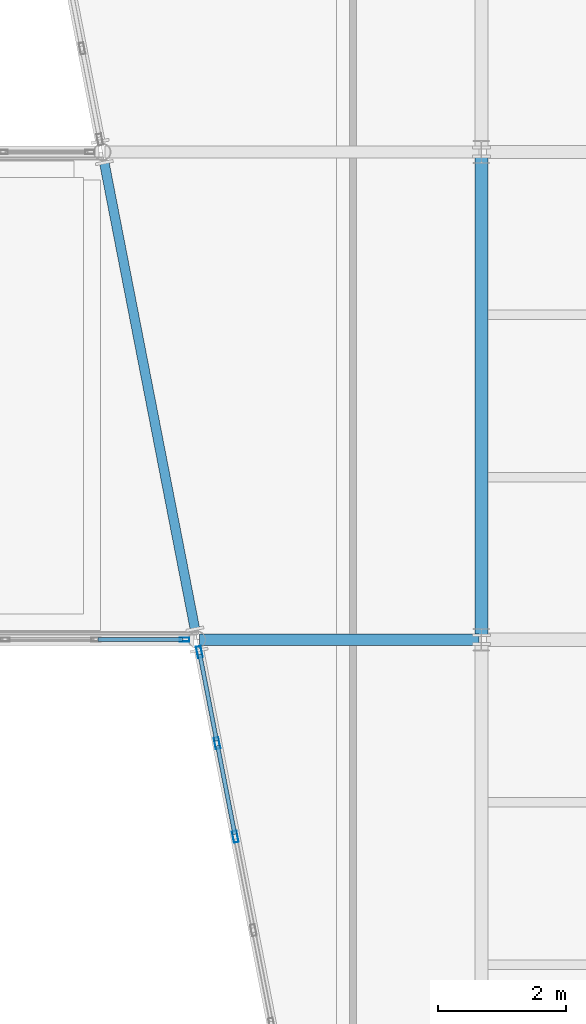
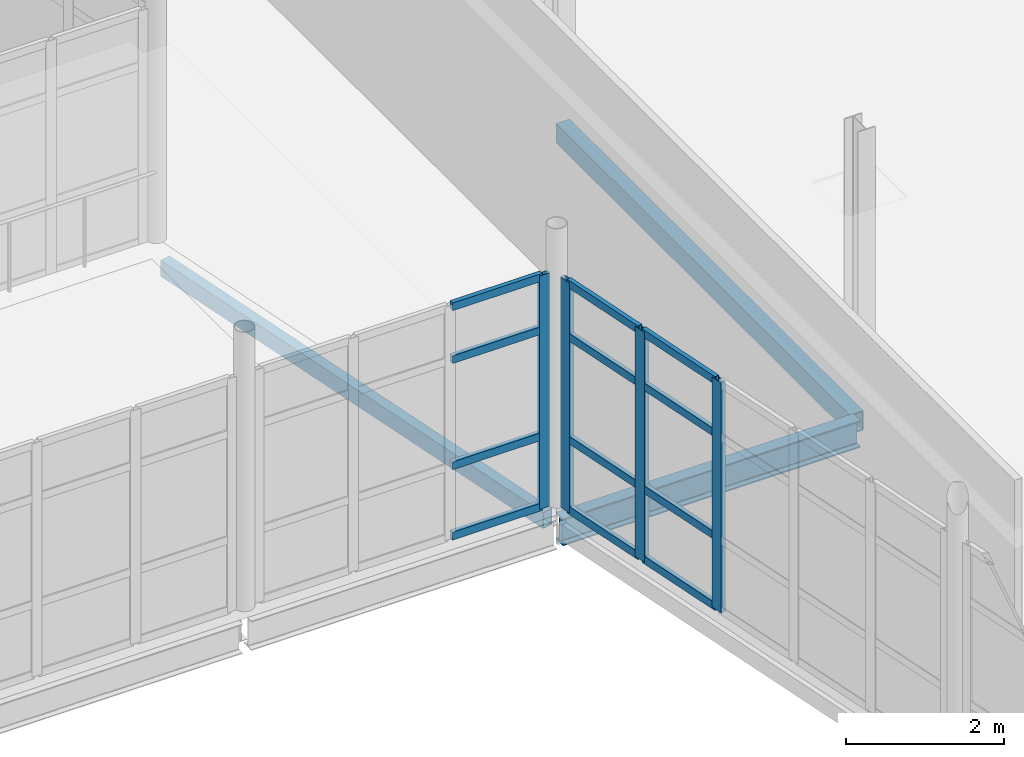
# One storey, part 97 of 174: 16 members, 3 beams, 2 elements without a shape of their own.
"""IFC4 building model written with IfcOpenShell, lengths in metres."""

from ifc_helpers import new_model, si_unit, direction, frame, origin, origin_2d, place, context, subcontext, project, spatial, hollow_rectangle, i_section, extrude, material, material_profile, profile_set, type_object, element, aggregate, save


model = new_model("IFC4")

# Units and contexts
model_context = context("Model", 3, precision=1e-05, world=origin(), true_north=direction((0.0, 1.0)))
body_context = subcontext(model_context, "Body", "Model", "MODEL_VIEW")
ifc_project = project(units=[si_unit("LENGTHUNIT", "METRE"), si_unit("AREAUNIT", "SQUARE_METRE"), si_unit("VOLUMEUNIT", "CUBIC_METRE"), si_unit("PLANEANGLEUNIT", "RADIAN"), si_unit("MASSUNIT", "GRAM", prefix="KILO")], contexts=[model_context])

# Site, building, storey
site_placement = place(None, origin())
site = spatial("IfcSite", under=ifc_project, at=site_placement, CompositionType="ELEMENT")
building_placement = place(site_placement, origin())
building = spatial("IfcBuilding", under=site, at=building_placement, Name="Caisbarro Railhouse Central Library", CompositionType="ELEMENT")
storey_placement = place(building_placement, frame((0.0, 0.0, 5.0400390625)))
storey = spatial("IfcBuildingStorey", under=building, at=storey_placement, Name="L01", CompositionType="ELEMENT", Elevation=5.0400390625)

# Beams
ifc_material_1 = material(Name="Steel ASTM A572 Grade 50", Category="steel")
ifc_material_profile_1 = material_profile(ifc_material_1, i_section(OverallWidth=0.180908203125, OverallDepth=0.4169921875, WebThickness=0.010986328125, FlangeThickness=0.018310546875, FilletRadius=0.01611328125, at=origin_2d()), Name="W410X85.0")
ifc_profile_set_1 = profile_set([ifc_material_profile_1], Name="Steel ASTM A572 Grade 50")
beam_type_1 = type_object("IfcBeamType", Name="BM-G09", PredefinedType="BEAM", material=ifc_profile_set_1)
beam_1_placement = place(storey_placement, frame((112.60791015625, 83.60009765625, -0.428466796875), z_axis=(1.0, 0.0, 0.0), x_axis=(0.0, 1.0, 0.0)))
element("IfcBeam", 1, at=beam_1_placement, inside=storey, type_object=beam_type_1, Name="G09 beam L01 #1273", PredefinedType="BEAM", context=body_context, shape_type="SweptSolid", body=[
    extrude(i_section(OverallWidth=0.180908203125, OverallDepth=0.4169921875, WebThickness=0.010986328125, FlangeThickness=0.018310546875, FilletRadius=0.01611328125, at=origin_2d()), origin(), (0.0, 0.0, 1.0), 4.35205078125),
])
ifc_material_profile_2 = material_profile(ifc_material_1, hollow_rectangle(XDim=0.199951171875, YDim=0.300048828125, WallThickness=0.012451171875, at=origin_2d()), Name="HSS300X200X12.5")
ifc_profile_set_2 = profile_set([ifc_material_profile_2], Name="Steel ASTM A572 Grade 50")
beam_type_2 = type_object("IfcBeamType", Name="BM-SP02", PredefinedType="SPANDREL", material=ifc_profile_set_2)
beam_2_placement = place(storey_placement, frame((117.0, 83.679931640625, -0.3701171875), z_axis=(0.0, 1.0, 0.0), x_axis=(-1.0, 0.0, 0.0)))
element("IfcBeam", 2, at=beam_2_placement, inside=storey, type_object=beam_type_2, Name="SP02 beam L01 #934", PredefinedType="SPANDREL", context=body_context, shape_type="SweptSolid", body=[
    extrude(hollow_rectangle(XDim=0.199951171875, YDim=0.300048828125, WallThickness=0.012451171875, at=origin_2d()), origin(), (0.0, 0.0, 1.0), 7.440185546875),
])
ifc_material_profile_3 = material_profile(ifc_material_1, hollow_rectangle(XDim=0.14990234375, YDim=0.25, WallThickness=0.010009765625, at=origin_2d()), Name="HSS250X150X10")
ifc_profile_set_3 = profile_set([ifc_material_profile_3], Name="Steel ASTM A572 Grade 50")
beam_type_3 = type_object("IfcBeamType", Name="BM-SP03", PredefinedType="SPANDREL", material=ifc_profile_set_3)
beam_3_placement = place(storey_placement, frame((112.53369140625, 83.776611328125, -0.344970703125), z_axis=(-0.1907899916, 0.981630877217, 0.0), x_axis=(-0.981630877217, -0.1907899916, 0.0)))
element("IfcBeam", 3, at=beam_3_placement, inside=storey, type_object=beam_type_3, Name="SP03 beam L01 #1268", PredefinedType="SPANDREL", context=body_context, shape_type="SweptSolid", body=[
    extrude(hollow_rectangle(XDim=0.14990234375, YDim=0.25, WallThickness=0.010009765625, at=origin_2d()), origin(), (0.0, 0.0, 1.0), 7.382080078125),
])

# Curtain wall, members
ifc_material_2 = material(Name="Anodised architectural aluminium", Category="aluminium")
curtain_wall_type_1 = type_object("IfcCurtainWallType", Name="CW-CW02", PredefinedType="NOTDEFINED", material=ifc_material_2)
curtain_wall_1_placement = place(storey_placement, origin())
curtain_wall_1 = element("IfcCurtainWall", 4, at=curtain_wall_1_placement, inside=storey, type_object=curtain_wall_type_1, Name="CW02 curtain wall L01 #112", PredefinedType="NOTDEFINED")
ifc_material_profile_4 = material_profile(ifc_material_2, hollow_rectangle(XDim=0.074951171875, YDim=0.179931640625, WallThickness=0.00439453125, at=origin_2d()), Name="ALU-MUL-75X180")
ifc_profile_set_4 = profile_set([ifc_material_profile_4], Name="Anodised architectural aluminium")
member_type_1 = type_object("IfcMemberType", Name="CWM-M01", PredefinedType="MULLION", material=ifc_profile_set_4)
member_1_placement = place(storey_placement, frame((113.164794921875, 80.528564453125, 0.0), z_axis=(0.0, 0.0, 1.0), x_axis=(-0.981632635401, -0.190780945369, 0.0)))
member_1 = element("IfcMember", 5, at=member_1_placement, type_object=member_type_1, Name="CW02 mullion 4", PredefinedType="MULLION", context=body_context, shape_type="SweptSolid", body=[
    extrude(hollow_rectangle(XDim=0.074951171875, YDim=0.179931640625, WallThickness=0.00439453125, at=origin_2d()), origin(), (0.0, 0.0, 1.0), 3.56005859375),
])
member_2_placement = place(storey_placement, frame((112.881591796875, 81.98583984375, 0.0), z_axis=(0.0, 0.0, 1.0), x_axis=(-0.981632635401, -0.190780945369, 0.0)))
member_2 = element("IfcMember", 6, at=member_2_placement, type_object=member_type_1, Name="CW02 mullion 5", PredefinedType="MULLION", context=body_context, shape_type="SweptSolid", body=[
    extrude(hollow_rectangle(XDim=0.074951171875, YDim=0.179931640625, WallThickness=0.00439453125, at=origin_2d()), origin(), (0.0, 0.0, 1.0), 3.56005859375),
])
member_3_placement = place(storey_placement, frame((112.605712890625, 83.406005859375, 0.0), z_axis=(0.0, 0.0, 1.0), x_axis=(-0.981632635401, -0.190780945369, 0.0)))
member_3 = element("IfcMember", 7, at=member_3_placement, type_object=member_type_1, Name="CW02 mullion 6", PredefinedType="MULLION", context=body_context, shape_type="SweptSolid", body=[
    extrude(hollow_rectangle(XDim=0.074951171875, YDim=0.179931640625, WallThickness=0.00439453125, at=origin_2d()), origin(), (0.0, 0.0, 1.0), 3.56005859375),
])

# Curtain wall, member
curtain_wall_type_2 = type_object("IfcCurtainWallType", Name="CW-CW03", PredefinedType="NOTDEFINED", material=ifc_material_2)
curtain_wall_2_placement = place(storey_placement, origin())
curtain_wall_2 = element("IfcCurtainWall", 8, at=curtain_wall_2_placement, inside=storey, type_object=curtain_wall_type_2, Name="CW03 curtain wall L01 #199", PredefinedType="NOTDEFINED")
ifc_material_profile_5 = material_profile(ifc_material_2, hollow_rectangle(XDim=0.06494140625, YDim=0.14990234375, WallThickness=0.00390625, at=origin_2d()), Name="ALU-MUL-65X150")
ifc_profile_set_5 = profile_set([ifc_material_profile_5], Name="Anodised architectural aluminium")
member_type_2 = type_object("IfcMemberType", Name="CWM-M02", PredefinedType="MULLION", material=ifc_profile_set_5)
member_4_placement = place(storey_placement, frame((112.37548828125, 83.60009765625, 0.0), z_axis=(0.0, 0.0, 1.0), x_axis=(0.0, 1.0, 0.0)))
member_4 = element("IfcMember", 9, at=member_4_placement, type_object=member_type_2, Name="CW03 mullion 4", PredefinedType="MULLION", context=body_context, shape_type="SweptSolid", body=[
    extrude(hollow_rectangle(XDim=0.06494140625, YDim=0.14990234375, WallThickness=0.00390625, at=origin_2d()), origin(), (0.0, 0.0, 1.0), 3.60986328125),
])

# Member
ifc_material_profile_6 = material_profile(ifc_material_2, hollow_rectangle(XDim=0.06494140625, YDim=0.1201171875, WallThickness=0.00341796875, at=origin_2d()), Name="ALU-TRN-65X120")
ifc_profile_set_6 = profile_set([ifc_material_profile_6], Name="Anodised architectural aluminium")
member_type_3 = type_object("IfcMemberType", Name="CWT-T02", PredefinedType="USERDEFINED", material=ifc_profile_set_6)
member_5_placement = place(storey_placement, frame((113.15771484375, 80.5654296875, 0.032470703125), z_axis=(-0.190716655365, 0.981645128021, 0.0), x_axis=(-0.981645128021, -0.190716655365, 0.0)))
member_5 = element("IfcMember", 10, at=member_5_placement, type_object=member_type_3, Name="CW02 transom 4.1", ObjectType="TRANSOM", PredefinedType="USERDEFINED", context=body_context, shape_type="SweptSolid", body=[
    extrude(hollow_rectangle(XDim=0.06494140625, YDim=0.1201171875, WallThickness=0.00341796875, at=origin_2d()), origin(), (0.0, 0.0, 1.0), 1.409423828125),
])

member_6_placement = place(storey_placement, frame((113.15771484375, 80.5654296875, 1.119873046875), z_axis=(-0.190716655365, 0.981645128021, 0.0), x_axis=(-0.981645128021, -0.190716655365, 0.0)))
member_6 = element("IfcMember", 11, at=member_6_placement, type_object=member_type_3, Name="CW02 transom 4.2", ObjectType="TRANSOM", PredefinedType="USERDEFINED", context=body_context, shape_type="SweptSolid", body=[
    extrude(hollow_rectangle(XDim=0.06494140625, YDim=0.1201171875, WallThickness=0.00341796875, at=origin_2d()), origin(), (0.0, 0.0, 1.0), 1.409423828125),
])

member_7_placement = place(storey_placement, frame((113.15771484375, 80.5654296875, 2.7099609375), z_axis=(-0.190716655365, 0.981645128021, 0.0), x_axis=(-0.981645128021, -0.190716655365, 0.0)))
member_7 = element("IfcMember", 12, at=member_7_placement, type_object=member_type_3, Name="CW02 transom 4.3", ObjectType="TRANSOM", PredefinedType="USERDEFINED", context=body_context, shape_type="SweptSolid", body=[
    extrude(hollow_rectangle(XDim=0.06494140625, YDim=0.1201171875, WallThickness=0.00341796875, at=origin_2d()), origin(), (0.0, 0.0, 1.0), 1.409423828125),
])

member_8_placement = place(storey_placement, frame((113.15771484375, 80.5654296875, 3.52734375), z_axis=(-0.190716655365, 0.981645128021, 0.0), x_axis=(-0.981645128021, -0.190716655365, 0.0)))
member_8 = element("IfcMember", 13, at=member_8_placement, type_object=member_type_3, Name="CW02 transom 4.4", ObjectType="TRANSOM", PredefinedType="USERDEFINED", context=body_context, shape_type="SweptSolid", body=[
    extrude(hollow_rectangle(XDim=0.06494140625, YDim=0.1201171875, WallThickness=0.00341796875, at=origin_2d()), origin(), (0.0, 0.0, 1.0), 1.409423828125),
])

member_9_placement = place(storey_placement, frame((112.87451171875, 82.0224609375, 0.032470703125), z_axis=(-0.190741071546, 0.981640384064, 0.0), x_axis=(-0.981640384064, -0.190741071546, 0.0)))
member_9 = element("IfcMember", 14, at=member_9_placement, type_object=member_type_3, Name="CW02 transom 5.1", ObjectType="TRANSOM", PredefinedType="USERDEFINED", context=body_context, shape_type="SweptSolid", body=[
    extrude(hollow_rectangle(XDim=0.06494140625, YDim=0.1201171875, WallThickness=0.00341796875, at=origin_2d()), origin(), (0.0, 0.0, 1.0), 1.3720703125),
])

member_10_placement = place(storey_placement, frame((112.87451171875, 82.0224609375, 1.119873046875), z_axis=(-0.190741071546, 0.981640384064, 0.0), x_axis=(-0.981640384064, -0.190741071546, 0.0)))
member_10 = element("IfcMember", 15, at=member_10_placement, type_object=member_type_3, Name="CW02 transom 5.2", ObjectType="TRANSOM", PredefinedType="USERDEFINED", context=body_context, shape_type="SweptSolid", body=[
    extrude(hollow_rectangle(XDim=0.06494140625, YDim=0.1201171875, WallThickness=0.00341796875, at=origin_2d()), origin(), (0.0, 0.0, 1.0), 1.3720703125),
])

member_11_placement = place(storey_placement, frame((112.87451171875, 82.0224609375, 2.7099609375), z_axis=(-0.190741071546, 0.981640384064, 0.0), x_axis=(-0.981640384064, -0.190741071546, 0.0)))
member_11 = element("IfcMember", 16, at=member_11_placement, type_object=member_type_3, Name="CW02 transom 5.3", ObjectType="TRANSOM", PredefinedType="USERDEFINED", context=body_context, shape_type="SweptSolid", body=[
    extrude(hollow_rectangle(XDim=0.06494140625, YDim=0.1201171875, WallThickness=0.00341796875, at=origin_2d()), origin(), (0.0, 0.0, 1.0), 1.3720703125),
])

member_12_placement = place(storey_placement, frame((112.87451171875, 82.0224609375, 3.52734375), z_axis=(-0.190741071546, 0.981640384064, 0.0), x_axis=(-0.981640384064, -0.190741071546, 0.0)))
member_12 = element("IfcMember", 17, at=member_12_placement, type_object=member_type_3, Name="CW02 transom 5.4", ObjectType="TRANSOM", PredefinedType="USERDEFINED", context=body_context, shape_type="SweptSolid", body=[
    extrude(hollow_rectangle(XDim=0.06494140625, YDim=0.1201171875, WallThickness=0.00341796875, at=origin_2d()), origin(), (0.0, 0.0, 1.0), 1.3720703125),
])

aggregate(curtain_wall_1, [member_1, member_2, member_3, member_5, member_6, member_7, member_8, member_9, member_10, member_11, member_12])

member_13_placement = place(storey_placement, frame((111.0244140625, 83.60009765625, 0.032470703125), z_axis=(1.0, 0.0, 0.0), x_axis=(0.0, 1.0, 0.0)))
member_13 = element("IfcMember", 18, at=member_13_placement, type_object=member_type_3, Name="CW03 transom 3.1", ObjectType="TRANSOM", PredefinedType="USERDEFINED", context=body_context, shape_type="SweptSolid", body=[
    extrude(hollow_rectangle(XDim=0.06494140625, YDim=0.1201171875, WallThickness=0.00341796875, at=origin_2d()), origin(), (0.0, 0.0, 1.0), 1.318603515625),
])

member_14_placement = place(storey_placement, frame((111.0244140625, 83.60009765625, 1.119873046875), z_axis=(1.0, 0.0, 0.0), x_axis=(0.0, 1.0, 0.0)))
member_14 = element("IfcMember", 19, at=member_14_placement, type_object=member_type_3, Name="CW03 transom 3.2", ObjectType="TRANSOM", PredefinedType="USERDEFINED", context=body_context, shape_type="SweptSolid", body=[
    extrude(hollow_rectangle(XDim=0.06494140625, YDim=0.1201171875, WallThickness=0.00341796875, at=origin_2d()), origin(), (0.0, 0.0, 1.0), 1.318603515625),
])

member_15_placement = place(storey_placement, frame((111.0244140625, 83.60009765625, 2.760009765625), z_axis=(1.0, 0.0, 0.0), x_axis=(0.0, 1.0, 0.0)))
member_15 = element("IfcMember", 20, at=member_15_placement, type_object=member_type_3, Name="CW03 transom 3.3", ObjectType="TRANSOM", PredefinedType="USERDEFINED", context=body_context, shape_type="SweptSolid", body=[
    extrude(hollow_rectangle(XDim=0.06494140625, YDim=0.1201171875, WallThickness=0.00341796875, at=origin_2d()), origin(), (0.0, 0.0, 1.0), 1.318603515625),
])

member_16_placement = place(storey_placement, frame((111.0244140625, 83.60009765625, 3.577392578125), z_axis=(1.0, 0.0, 0.0), x_axis=(0.0, 1.0, 0.0)))
member_16 = element("IfcMember", 21, at=member_16_placement, type_object=member_type_3, Name="CW03 transom 3.4", ObjectType="TRANSOM", PredefinedType="USERDEFINED", context=body_context, shape_type="SweptSolid", body=[
    extrude(hollow_rectangle(XDim=0.06494140625, YDim=0.1201171875, WallThickness=0.00341796875, at=origin_2d()), origin(), (0.0, 0.0, 1.0), 1.318603515625),
])

aggregate(curtain_wall_2, [member_4, member_13, member_14, member_15, member_16])

save(model, "model.ifc")
